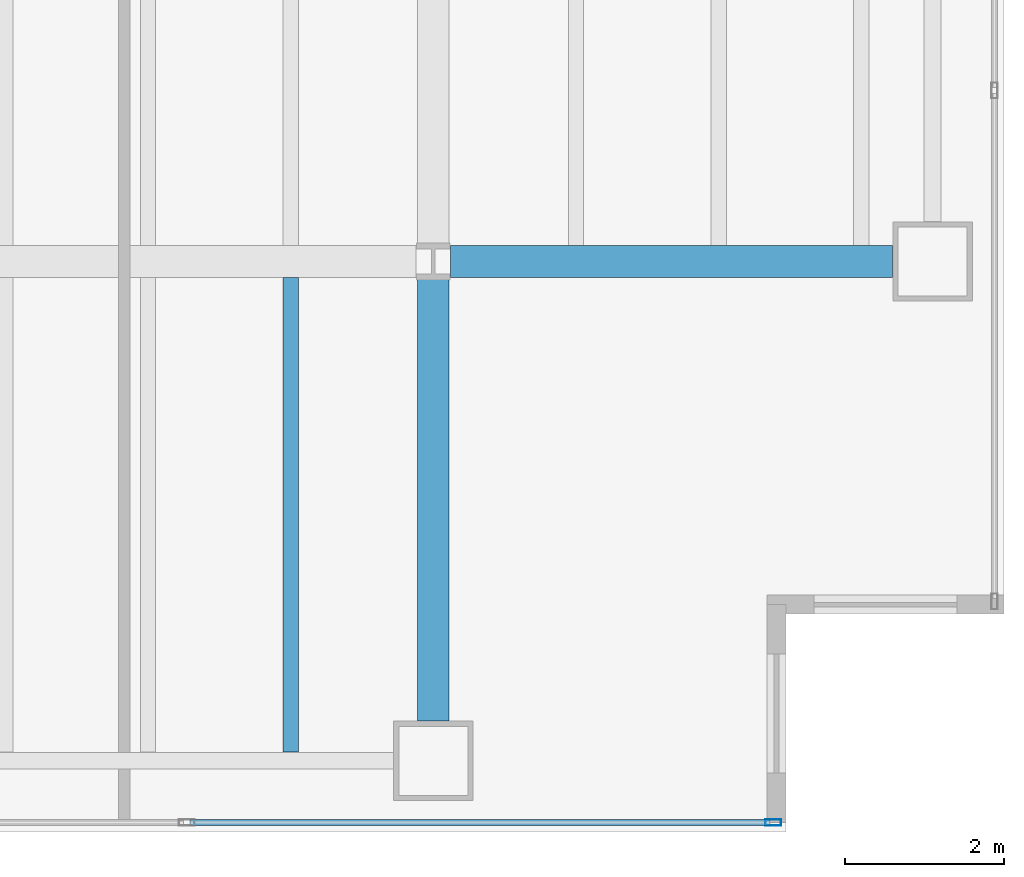
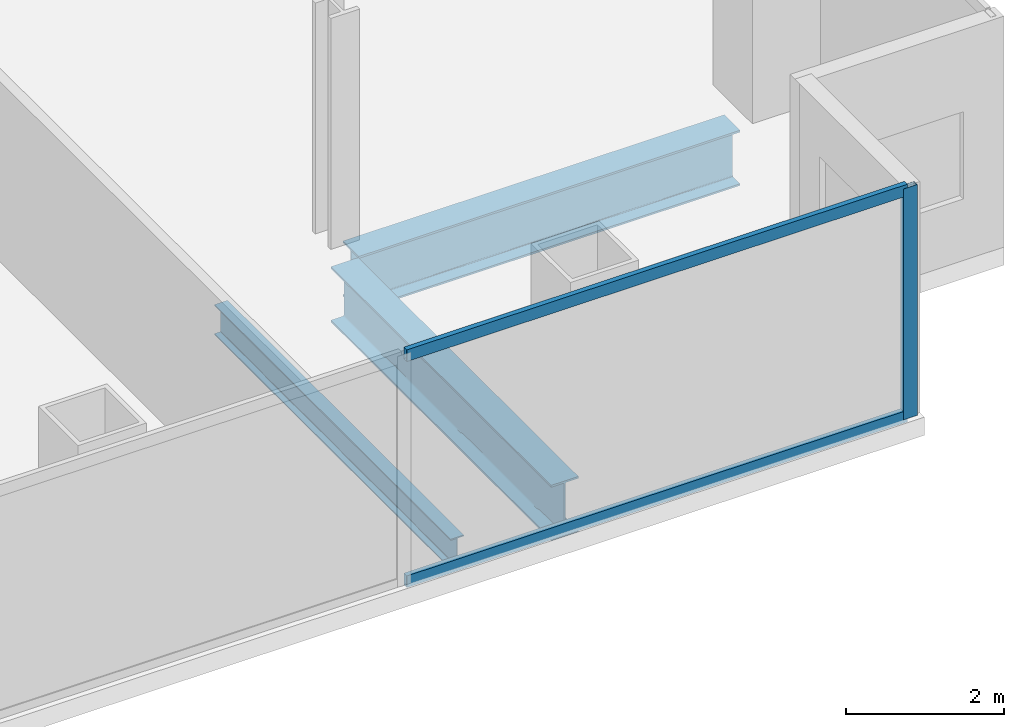
# One storey, part 8 of 23: 3 beams, 3 members, 1 element without a shape of its own.
"""IFC4 building model written with IfcOpenShell, lengths in metres."""

from ifc_helpers import new_model, si_unit, direction, frame, origin, origin_2d, place, context, subcontext, project, spatial, hollow_rectangle, i_section, extrude, material, material_profile, profile_set, type_object, element, aggregate, save


model = new_model("IFC4")

# Units and contexts
model_context = context("Model", 3, precision=1e-05, world=origin(), true_north=direction((0.0, 1.0)))
body_context = subcontext(model_context, "Body", "Model", "MODEL_VIEW")
ifc_project = project(units=[si_unit("LENGTHUNIT", "METRE"), si_unit("AREAUNIT", "SQUARE_METRE"), si_unit("VOLUMEUNIT", "CUBIC_METRE"), si_unit("PLANEANGLEUNIT", "RADIAN"), si_unit("MASSUNIT", "GRAM", prefix="KILO")], contexts=[model_context])

# Site, building, storey
site_placement = place(None, origin())
site = spatial("IfcSite", under=ifc_project, at=site_placement, CompositionType="ELEMENT")
building_placement = place(site_placement, origin())
building = spatial("IfcBuilding", under=site, at=building_placement, Name="Cobrela Telecom Tower", CompositionType="ELEMENT")
storey_placement = place(building_placement, frame((0.0, 0.0, 73.5)))
storey = spatial("IfcBuildingStorey", under=building, at=storey_placement, Name="L18", CompositionType="ELEMENT", Elevation=73.5)

# Beams
ifc_material_1 = material(Name="Steel ASTM A992 Grade 50", Category="steel")
ifc_material_profile_1 = material_profile(ifc_material_1, i_section(OverallWidth=0.39892578125, OverallDepth=0.85595703125, WebThickness=0.018310546875, FlangeThickness=0.029296875, FilletRadius=0.02001953125, at=origin_2d()), Name="W33X201")
ifc_profile_set_1 = profile_set([ifc_material_profile_1], Name="Steel ASTM A992 Grade 50")
beam_type_1 = type_object("IfcBeamType", Name="BM-GIRD-03", PredefinedType="USERDEFINED", material=ifc_profile_set_1)
beam_1_placement = place(storey_placement, frame((43.416015625, 7.199951171875, -0.7080078125), z_axis=(1.0, 0.0, 0.0), x_axis=(0.0, 1.0, 0.0)))
element("IfcBeam", 1, at=beam_1_placement, inside=storey, type_object=beam_type_1, Name="L18 Primary Girder X12", ObjectType="GIRDER", PredefinedType="USERDEFINED", context=body_context, shape_type="SweptSolid", body=[
    extrude(i_section(OverallWidth=0.39892578125, OverallDepth=0.85595703125, WebThickness=0.018310546875, FlangeThickness=0.029296875, FilletRadius=0.02001953125, at=origin_2d()), origin(), (0.0, 0.0, 1.0), 5.5791015625),
])
beam_2_placement = place(storey_placement, frame((43.199951171875, 1.405029296875, -0.7080078125), z_axis=(0.0, 1.0, 0.0), x_axis=(-1.0, 0.0, 0.0)))
element("IfcBeam", 2, at=beam_2_placement, inside=storey, type_object=beam_type_1, Name="L18 Primary Girder Y53", ObjectType="GIRDER", PredefinedType="USERDEFINED", context=body_context, shape_type="SweptSolid", body=[
    extrude(i_section(OverallWidth=0.39892578125, OverallDepth=0.85595703125, WebThickness=0.018310546875, FlangeThickness=0.029296875, FilletRadius=0.02001953125, at=origin_2d()), origin(), (0.0, 0.0, 1.0), 5.578857421875),
])
ifc_material_profile_2 = material_profile(ifc_material_1, i_section(OverallWidth=0.193115234375, OverallDepth=0.467041015625, WebThickness=0.011474609375, FlangeThickness=0.01904296875, FilletRadius=0.012939453125, at=origin_2d()), Name="W18X65")
ifc_profile_set_2 = profile_set([ifc_material_profile_2], Name="Steel ASTM A992 Grade 50")
beam_type_2 = type_object("IfcBeamType", Name="BM-JOIST-03", PredefinedType="JOIST", material=ifc_profile_set_2)
beam_3_placement = place(storey_placement, frame((41.39990234375, 1.011474609375, -0.513427734375), z_axis=(0.0, 1.0, 0.0), x_axis=(-1.0, 0.0, 0.0)))
element("IfcBeam", 3, at=beam_3_placement, inside=storey, type_object=beam_type_2, Name="L18 Secondary Composite Floor Beam J56", PredefinedType="JOIST", context=body_context, shape_type="SweptSolid", body=[
    extrude(i_section(OverallWidth=0.193115234375, OverallDepth=0.467041015625, WebThickness=0.011474609375, FlangeThickness=0.01904296875, FilletRadius=0.012939453125, at=origin_2d()), origin(), (0.0, 0.0, 1.0), 5.984130859375),
])

# Curtain wall, members
ifc_material_2 = material(Name="Anodized Bronze Aluminium 6063-T6", Category="aluminium")
curtain_wall_type = type_object("IfcCurtainWallType", Name="CW-SYS-DATA", PredefinedType="USERDEFINED", material=ifc_material_2)
curtain_wall_placement = place(storey_placement, origin())
curtain_wall = element("IfcCurtainWall", 4, at=curtain_wall_placement, inside=storey, type_object=curtain_wall_type, Name="L18 Unitised Bronze Curtain Wall 17", ObjectType="UNITISED CURTAIN WALL", PredefinedType="USERDEFINED")
ifc_material_profile_3 = material_profile(ifc_material_2, hollow_rectangle(XDim=0.080078125, YDim=0.199951171875, WallThickness=0.00390625, at=origin_2d()), Name="ALU 80x200x4")
ifc_profile_set_3 = profile_set([ifc_material_profile_3], Name="Anodized Bronze Aluminium 6063-T6")
member_type_1 = type_object("IfcMemberType", Name="CW-SYS-DATA-MUL", PredefinedType="MULLION", material=ifc_profile_set_3)
member_1_placement = place(storey_placement, frame((47.489990234375, 0.1201171875, 0.0), z_axis=(0.0, 0.0, 1.0), x_axis=(0.0, -1.0, 0.0)))
member_1 = element("IfcMember", 5, at=member_1_placement, type_object=member_type_1, Name="CW-DATA mullion 1", PredefinedType="MULLION", context=body_context, shape_type="SweptSolid", body=[
    extrude(hollow_rectangle(XDim=0.080078125, YDim=0.199951171875, WallThickness=0.00390625, at=origin_2d()), origin(), (0.0, 0.0, 1.0), 3.570068359375),
])
ifc_material_profile_4 = material_profile(ifc_material_2, hollow_rectangle(XDim=0.074951171875, YDim=0.179931640625, WallThickness=0.00390625, at=origin_2d()), Name="ALU 75x180x4")
ifc_profile_set_4 = profile_set([ifc_material_profile_4], Name="Anodized Bronze Aluminium 6063-T6")
member_type_2 = type_object("IfcMemberType", Name="CW-SYS-DATA-TRN", PredefinedType="USERDEFINED", material=ifc_profile_set_4)
member_2_placement = place(storey_placement, frame((47.449951171875, 0.1201171875, 0.03759765625), z_axis=(-1.0, 0.0, 0.0), x_axis=(0.0, -1.0, 0.0)))
member_2 = element("IfcMember", 6, at=member_2_placement, type_object=member_type_2, Name="CW-DATA transom 1.1", ObjectType="TRANSOM", PredefinedType="USERDEFINED", context=body_context, shape_type="SweptSolid", body=[
    extrude(hollow_rectangle(XDim=0.074951171875, YDim=0.179931640625, WallThickness=0.00390625, at=origin_2d()), origin(), (0.0, 0.0, 1.0), 7.3232421875),
])
member_3_placement = place(storey_placement, frame((47.449951171875, 0.1201171875, 3.532470703125), z_axis=(-1.0, 0.0, 0.0), x_axis=(0.0, -1.0, 0.0)))
member_3 = element("IfcMember", 7, at=member_3_placement, type_object=member_type_2, Name="CW-DATA transom 1.2", ObjectType="TRANSOM", PredefinedType="USERDEFINED", context=body_context, shape_type="SweptSolid", body=[
    extrude(hollow_rectangle(XDim=0.074951171875, YDim=0.179931640625, WallThickness=0.00390625, at=origin_2d()), origin(), (0.0, 0.0, 1.0), 7.3232421875),
])
aggregate(curtain_wall, [member_1, member_2, member_3])

save(model, "model.ifc")
